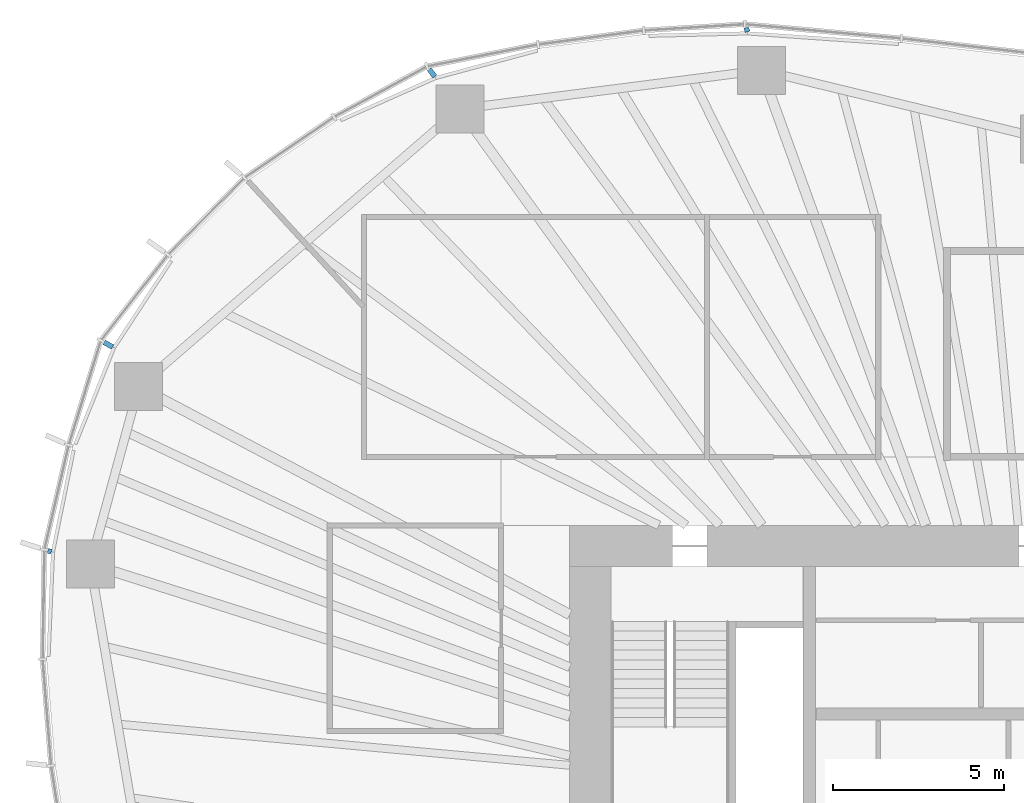
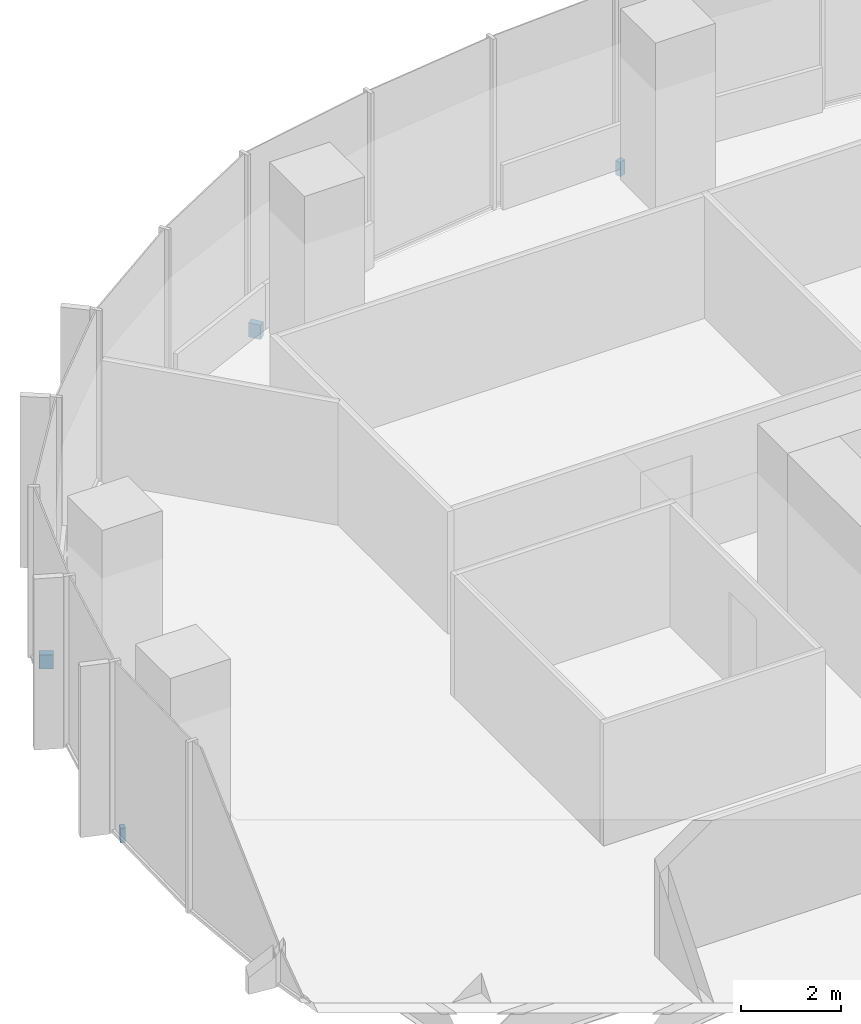
# One storey, part 15 of 18: 4 discrete accessories.
"""IFC4 building model written with IfcOpenShell, lengths in metres."""

from ifc_helpers import new_model, si_unit, direction, frame, origin, origin_2d, place, context, subcontext, project, spatial, rectangle, extrude, material, type_object, element, save


model = new_model("IFC4")

# Units and contexts
model_context = context("Model", 3, precision=1e-05, world=origin(), true_north=direction((0.0, 1.0)))
body_context = subcontext(model_context, "Body", "Model", "MODEL_VIEW")
ifc_project = project(units=[si_unit("LENGTHUNIT", "METRE"), si_unit("AREAUNIT", "SQUARE_METRE"), si_unit("VOLUMEUNIT", "CUBIC_METRE"), si_unit("PLANEANGLEUNIT", "RADIAN"), si_unit("MASSUNIT", "GRAM", prefix="KILO")], contexts=[model_context])

# Site, building, storey
site_placement = place(None, origin())
site = spatial("IfcSite", under=ifc_project, at=site_placement, CompositionType="ELEMENT")
building_placement = place(site_placement, origin())
building = spatial("IfcBuilding", under=site, at=building_placement, Name="Ghaith Harvest Tower", CompositionType="ELEMENT")
storey_placement = place(building_placement, frame((0.0, 0.0, 163.800048828125)))
storey = spatial("IfcBuildingStorey", under=building, at=storey_placement, Name="L35", CompositionType="ELEMENT", Elevation=163.800048828125)

# Discrete accessories
ifc_material_1 = material(Name="Stainless steel grade 1.4401", Category="steel")
discrete_accessory_type_1 = type_object("IfcDiscreteAccessoryType", Name="CURTAIN WALL BRACKET 105", PredefinedType="BRACKET", material=ifc_material_1)
discrete_accessory_1_placement = place(storey_placement, frame((-29.171875, 9.2451171875, -0.25), z_axis=(0.0, 0.0, 1.0), x_axis=(-0.953273219358, 0.302109531884, 0.0)))
element("IfcDiscreteAccessory", 1, at=discrete_accessory_1_placement, inside=storey, type_object=discrete_accessory_type_1, Name="CW-L bracket 1 bay 10 L35", PredefinedType="BRACKET", context=body_context, shape_type="SweptSolid", body=[
    extrude(rectangle(XDim=0.10498046875, YDim=0.14990234375, at=origin_2d()), origin(), (0.0, 0.0, 1.0), 0.35009765625),
])
ifc_material_2 = material(Name="Stainless steel grade 1.4401", Category="steel")
discrete_accessory_type_2 = type_object("IfcDiscreteAccessoryType", Name="CURTAIN WALL BRACKET 125", PredefinedType="BRACKET", material=ifc_material_2)
discrete_accessory_2_placement = place(storey_placement, frame((-8.833984375, 24.45849609375, -0.25), z_axis=(0.0, 0.0, 1.0), x_axis=(-0.339699453402, 0.94053404051, 0.0)))
element("IfcDiscreteAccessory", 2, at=discrete_accessory_2_placement, inside=storey, type_object=discrete_accessory_type_2, Name="CW-L bracket 1 bay 07 L35", PredefinedType="BRACKET", context=body_context, shape_type="SweptSolid", body=[
    extrude(rectangle(XDim=0.125, YDim=0.14990234375, at=origin_2d()), origin(), (0.0, 0.0, 1.0), 0.35009765625),
])
ifc_material_3 = material(Name="Stainless steel grade 1.4401", Category="steel")
discrete_accessory_type_3 = type_object("IfcDiscreteAccessoryType", Name="CURTAIN WALL BRACKET 265", PredefinedType="BRACKET", material=ifc_material_3)
discrete_accessory_3_placement = place(storey_placement, frame((-18.0166015625, 23.197998046875, -0.25), z_axis=(0.0, 0.0, 1.0), x_axis=(-0.613377714422, 0.78978970584, 0.0)))
element("IfcDiscreteAccessory", 3, at=discrete_accessory_3_placement, inside=storey, type_object=discrete_accessory_type_3, Name="CW-L bracket 1 bay 08 L35", PredefinedType="BRACKET", context=body_context, shape_type="SweptSolid", body=[
    extrude(rectangle(XDim=0.264892578125, YDim=0.14990234375, at=origin_2d()), origin(), (0.0, 0.0, 1.0), 0.35009765625),
])
ifc_material_4 = material(Name="Stainless steel grade 1.4401", Category="steel")
discrete_accessory_type_4 = type_object("IfcDiscreteAccessoryType", Name="CURTAIN WALL BRACKET 285", PredefinedType="BRACKET", material=ifc_material_4)
discrete_accessory_4_placement = place(storey_placement, frame((-27.45849609375, 15.271728515625, -0.25), z_axis=(0.0, 0.0, 1.0), x_axis=(-0.873926916005, 0.486057347935, 0.0)))
element("IfcDiscreteAccessory", 4, at=discrete_accessory_4_placement, inside=storey, type_object=discrete_accessory_type_4, Name="CW-L bracket 2 bay 09 L35", PredefinedType="BRACKET", context=body_context, shape_type="SweptSolid", body=[
    extrude(rectangle(XDim=0.284912109375, YDim=0.14990234375, at=origin_2d()), origin(), (0.0, 0.0, 1.0), 0.35009765625),
])

save(model, "model.ifc")
